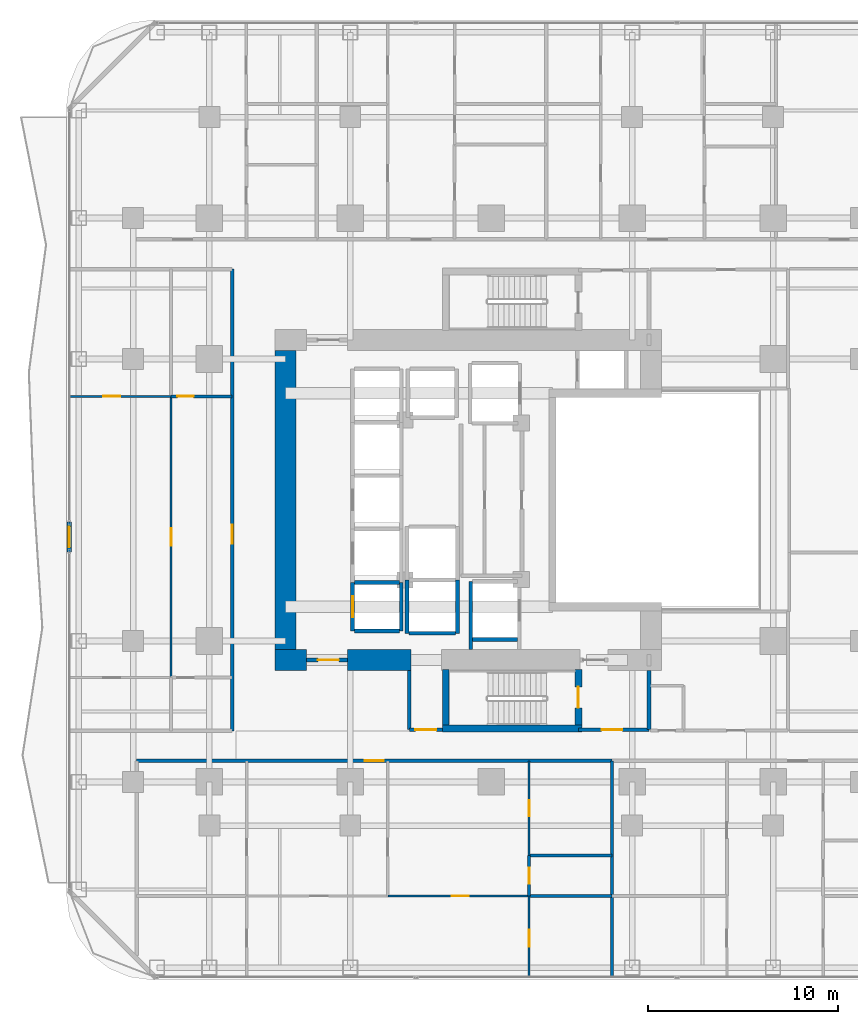
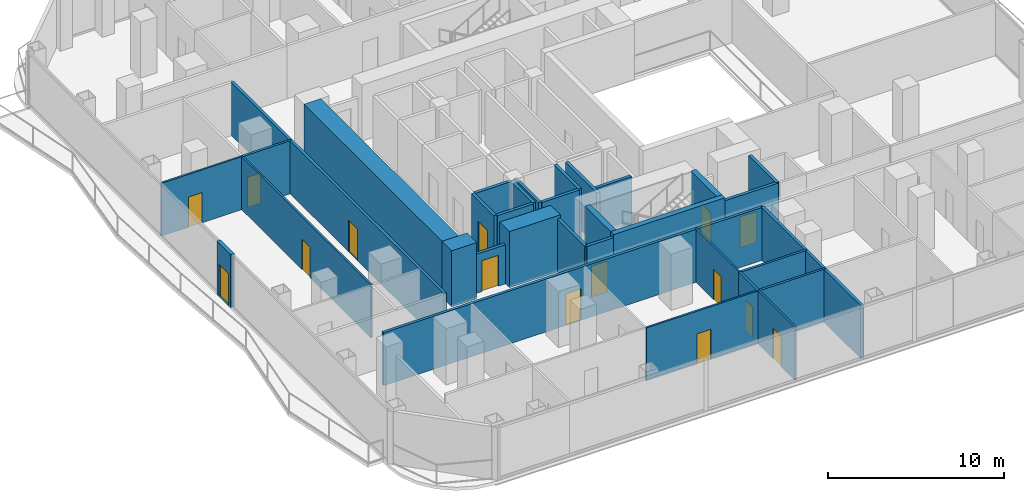
# One storey, part 20 of 27: 33 walls, 15 doors, 15 openings.
"""IFC4 building model written with IfcOpenShell, lengths in metres."""

from ifc_helpers import new_model, si_unit, direction, frame, frame_2d, origin, place, context, subcontext, project, spatial, rectangle, extrude, material, layer, layer_set, type_object, element, fill, save


model = new_model("IFC4")

# Units and contexts
model_context = context("Model", 3, precision=1e-05, world=origin(), true_north=direction((0.0, 1.0)))
body_context = subcontext(model_context, "Body", "Model", "MODEL_VIEW")
ifc_project = project(units=[si_unit("LENGTHUNIT", "METRE"), si_unit("AREAUNIT", "SQUARE_METRE"), si_unit("VOLUMEUNIT", "CUBIC_METRE"), si_unit("PLANEANGLEUNIT", "RADIAN"), si_unit("MASSUNIT", "GRAM", prefix="KILO")], contexts=[model_context])

# Site, building, storey
site_placement = place(None, origin())
site = spatial("IfcSite", under=ifc_project, at=site_placement, CompositionType="ELEMENT")
building_placement = place(site_placement, origin())
building = spatial("IfcBuilding", under=site, at=building_placement, Name="Khorvyn Point Tower", CompositionType="ELEMENT")
storey_placement = place(building_placement, frame((0.0, 0.0, 42.300048828125)))
storey = spatial("IfcBuildingStorey", under=building, at=storey_placement, Name="L11", CompositionType="ELEMENT", Elevation=42.300048828125)

# Wall, opening, door
ifc_material_1 = material(Name="Double acoustic gypsum on twin steel stud", Category="steel")
ifc_layer_1 = layer(ifc_material_1, 0.179931640625)
ifc_layer_set_1 = layer_set([ifc_layer_1], Name="Acoustic Double-Stud Apartment Demising Wall 180")
wall_type_1 = type_object("IfcWallType", Name="Acoustic Double-Stud Apartment Demising Wall 180", PredefinedType="PARTITIONING", material=ifc_layer_set_1)
wall_1_placement = place(storey_placement, frame((-18.6201171875, -13.699951171875, 0.0), z_axis=(0.0, 0.0, 1.0), x_axis=(1.0, 0.0, 0.0)))
wall_1 = element("IfcWall", 1, at=wall_1_placement, inside=storey, type_object=wall_type_1, Name="Wall", PredefinedType="PARTITIONING", context=body_context, shape_type="SweptSolid", body=[
    extrude(rectangle(XDim=24.963134765625, YDim=0.179931640625, at=frame_2d((12.4814453125, 0.0))), origin(), (0.0, 0.0, 1.0), 3.679931640625),
])
opening_1_placement = place(wall_1_placement, frame((11.9814453125, 0.0, 0.0)))
opening_1 = element("IfcOpeningElement", 2, at=opening_1_placement, cuts=wall_1, Name="Opening ID-AP60", PredefinedType="OPENING", context=body_context, shape_type="SweptSolid", body=[
    extrude(rectangle(XDim=1.0, YDim=2.199951171875, at=frame_2d((0.5, 1.10009765625))), frame((0.0, 0.099853515625, 0.0), z_axis=(0.0, -1.0, 0.0), x_axis=(1.0, 0.0, 0.0)), (0.0, 0.0, 1.0), 0.199951171875),
])
ifc_material_2 = material(Name="Engineered hardwood fire-rated leaf", Category="wood")
door_type_1 = type_object("IfcDoorType", Name="Acoustic Solid-Core Timber Apartment Entrance Door 1000x2200", OperationType="NOTDEFINED", PredefinedType="DOOR", material=ifc_material_2)
door_1_placement = place(opening_1_placement, origin())
door_1 = element("IfcDoor", 3, at=door_1_placement, inside=storey, type_object=door_type_1, Name="Door", OperationType="SINGLE_SWING_LEFT", OverallHeight=2.199951171875, OverallWidth=1.0, PredefinedType="DOOR", context=body_context, shape_type="SweptSolid", body=[
    extrude(rectangle(XDim=1.0, YDim=2.199951171875, at=frame_2d((0.5, 1.10009765625))), frame((0.0, 0.02490234375, 0.0), z_axis=(0.0, -1.0, 0.0), x_axis=(1.0, 0.0, 0.0)), (0.0, 0.0, 1.0), 0.050048828125),
])
fill(opening_1, door_1)

wall_2_placement = place(storey_placement, frame((-13.60009765625, -12.1201171875, 0.0), z_axis=(0.0, 0.0, 1.0), x_axis=(0.0, 1.0, 0.0)))
wall_2 = element("IfcWall", 4, at=wall_2_placement, inside=storey, type_object=wall_type_1, Name="Wall", PredefinedType="PARTITIONING", context=body_context, shape_type="SweptSolid", body=[
    extrude(rectangle(XDim=24.240234375, YDim=0.179931640625, at=frame_2d((12.1201171875, 0.0))), origin(), (0.0, 0.0, 1.0), 3.679931640625),
])
opening_2_placement = place(wall_2_placement, frame((9.829345703125, 0.0, 0.0)))
opening_2 = element("IfcOpeningElement", 5, at=opening_2_placement, cuts=wall_2, Name="Opening ID-AP60", PredefinedType="OPENING", context=body_context, shape_type="SweptSolid", body=[
    extrude(rectangle(XDim=1.0, YDim=2.199951171875, at=frame_2d((0.5, 1.10009765625))), frame((0.0, 0.099853515625, 0.0), z_axis=(0.0, -1.0, 0.0), x_axis=(1.0, 0.0, 0.0)), (0.0, 0.0, 1.0), 0.199951171875),
])
door_2_placement = place(opening_2_placement, origin())
door_2 = element("IfcDoor", 6, at=door_2_placement, inside=storey, type_object=door_type_1, Name="Door", OperationType="SINGLE_SWING_RIGHT", OverallHeight=2.199951171875, OverallWidth=1.0, PredefinedType="DOOR", context=body_context, shape_type="SweptSolid", body=[
    extrude(rectangle(XDim=1.0, YDim=2.199951171875, at=frame_2d((0.5, 1.10009765625))), frame((0.0, 0.02490234375, 0.0), z_axis=(0.0, -1.0, 0.0), x_axis=(1.0, 0.0, 0.0)), (0.0, 0.0, 1.0), 0.050048828125),
])
fill(opening_2, door_2)

# Wall
wall_3_placement = place(storey_placement, frame((6.343017578125, -25.030029296875, 0.0), z_axis=(0.0, 0.0, 1.0), x_axis=(0.0, 1.0, 0.0)))
element("IfcWall", 7, at=wall_3_placement, inside=storey, type_object=wall_type_1, Name="Wall", PredefinedType="PARTITIONING", context=body_context, shape_type="SweptSolid", body=[
    extrude(rectangle(XDim=11.330078125, YDim=0.179931640625, at=frame_2d((5.6650390625, 0.0))), origin(), (0.0, 0.0, 1.0), 3.679931640625),
])

# Wall, opening, door
ifc_material_3 = material(Name="Pale anodised aluminium rainscreen on steel stud", Category="steel")
ifc_layer_2 = layer(ifc_material_3, 0.239990234375)
ifc_layer_set_2 = layer_set([ifc_layer_2], Name="Anodised Aluminium Insulated Corner Spandrel Wall 240")
wall_type_2 = type_object("IfcWallType", Name="Anodised Aluminium Insulated Corner Spandrel Wall 240", PredefinedType="SOLIDWALL", material=ifc_layer_set_2)
wall_4_placement = place(storey_placement, frame((-22.14990234375, -2.73193359375, 0.0), z_axis=(0.0, 0.0, 1.0), x_axis=(0.0, 1.0, 0.0)))
wall_4 = element("IfcWall", 8, at=wall_4_placement, inside=storey, type_object=wall_type_2, Name="L11 West Outdoor Threshold Wall", PredefinedType="SOLIDWALL", context=body_context, shape_type="SweptSolid", body=[
    extrude(rectangle(XDim=1.579833984375, YDim=0.239990234375, at=frame_2d((0.7900390625, 0.0))), origin(), (0.0, 0.0, 1.0), 3.679931640625),
])
opening_3_placement = place(wall_4_placement, frame((0.239990234375, 0.0, 0.0)))
opening_3 = element("IfcOpeningElement", 9, at=opening_3_placement, cuts=wall_4, Name="Opening BD-1122", PredefinedType="OPENING", context=body_context, shape_type="SweptSolid", body=[
    extrude(rectangle(XDim=1.10009765625, YDim=2.199951171875, at=frame_2d((0.550048828125, 1.10009765625))), frame((0.0, 0.1298828125, 0.0), z_axis=(0.0, -1.0, 0.0), x_axis=(1.0, 0.0, 0.0)), (0.0, 0.0, 1.0), 0.260009765625),
])
ifc_material_4 = material(Name="Anodised aluminium 6063-T6 and laminated Low-E glass", Category="aluminium")
door_type_2 = type_object("IfcDoorType", Name="Glazed Balcony and Terrace Threshold Door 1100x2200", OperationType="NOTDEFINED", PredefinedType="DOOR", material=ifc_material_4)
door_3_placement = place(opening_3_placement, origin())
door_3 = element("IfcDoor", 10, at=door_3_placement, inside=storey, type_object=door_type_2, Name="L11 West Glazed Balcony Outdoor Door", OperationType="SINGLE_SWING_RIGHT", OverallHeight=2.199951171875, OverallWidth=1.10009765625, PredefinedType="DOOR", context=body_context, shape_type="SweptSolid", body=[
    extrude(rectangle(XDim=1.10009765625, YDim=2.199951171875, at=frame_2d((0.550048828125, 1.10009765625))), frame((0.0, 0.02490234375, 0.0), z_axis=(0.0, -1.0, 0.0), x_axis=(1.0, 0.0, 0.0)), (0.0, 0.0, 1.0), 0.050048828125),
])
fill(opening_3, door_3)

ifc_material_5 = material(Name="Concrete C40/50", Category="concrete")
ifc_layer_3 = layer(ifc_material_5, 0.199951171875)
ifc_layer_set_3 = layer_set([ifc_layer_3], Name="Concrete C40/50 Fire-Lobby Compartment Wall 200")
wall_type_3 = type_object("IfcWallType", Name="Concrete C40/50 Fire-Lobby Compartment Wall 200", PredefinedType="SOLIDWALL", material=ifc_layer_set_3)
wall_5_placement = place(storey_placement, frame((4.580078125, -12.06005859375, 0.0), z_axis=(0.0, 0.0, 1.0), x_axis=(1.0, 0.0, 0.0)))
wall_5 = element("IfcWall", 11, at=wall_5_placement, inside=storey, type_object=wall_type_3, Name="Wall", PredefinedType="SOLIDWALL", context=body_context, shape_type="SweptSolid", body=[
    extrude(rectangle(XDim=3.699951171875, YDim=0.199951171875, at=frame_2d((1.85009765625, 0.0))), origin(), (0.0, 0.0, 1.0), 3.679931640625),
])
opening_4_placement = place(wall_5_placement, frame((1.21240234375, 0.0, 0.0)))
opening_4 = element("IfcOpeningElement", 12, at=opening_4_placement, cuts=wall_5, Name="Opening ID-FL90", PredefinedType="OPENING", context=body_context, shape_type="SweptSolid", body=[
    extrude(rectangle(XDim=1.10009765625, YDim=2.14990234375, at=frame_2d((0.550048828125, 1.074951171875))), frame((0.0, 0.10986328125, 0.0), z_axis=(0.0, -1.0, 0.0), x_axis=(1.0, 0.0, 0.0)), (0.0, 0.0, 1.0), 0.219970703125),
])
ifc_material_6 = material(Name="Galvanised powder-coated steel", Category="steel")
door_type_3 = type_object("IfcDoorType", Name="Fire-Rated Steel Lobby and Stair Door 1100x2150", OperationType="NOTDEFINED", PredefinedType="DOOR", material=ifc_material_6)
door_4_placement = place(opening_4_placement, origin())
door_4 = element("IfcDoor", 13, at=door_4_placement, inside=storey, type_object=door_type_3, Name="Door", OperationType="SINGLE_SWING_RIGHT", OverallHeight=2.14990234375, OverallWidth=1.10009765625, PredefinedType="DOOR", context=body_context, shape_type="SweptSolid", body=[
    extrude(rectangle(XDim=1.10009765625, YDim=2.14990234375, at=frame_2d((0.550048828125, 1.074951171875))), frame((0.0, 0.02490234375, 0.0), z_axis=(0.0, -1.0, 0.0), x_axis=(1.0, 0.0, 0.0)), (0.0, 0.0, 1.0), 0.050048828125),
])
fill(opening_4, door_4)

wall_6_placement = place(storey_placement, frame((-9.699951171875, -8.39990234375, 0.0), z_axis=(0.0, 0.0, 1.0), x_axis=(1.0, 0.0, 0.0)))
wall_6 = element("IfcWall", 14, at=wall_6_placement, inside=storey, type_object=wall_type_3, Name="Wall", PredefinedType="SOLIDWALL", context=body_context, shape_type="SweptSolid", body=[
    extrude(rectangle(XDim=2.14990234375, YDim=0.199951171875, at=frame_2d((1.074951171875, 0.0))), origin(), (0.0, 0.0, 1.0), 2.719970703125),
])
opening_5_placement = place(wall_6_placement, frame((0.597900390625, 0.0, 0.0)))
opening_5 = element("IfcOpeningElement", 15, at=opening_5_placement, cuts=wall_6, Name="Opening ID-FL90", PredefinedType="OPENING", context=body_context, shape_type="SweptSolid", body=[
    extrude(rectangle(XDim=1.10009765625, YDim=2.14990234375, at=frame_2d((0.550048828125, 1.074951171875))), frame((0.0, 0.10986328125, 0.0), z_axis=(0.0, -1.0, 0.0), x_axis=(1.0, 0.0, 0.0)), (0.0, 0.0, 1.0), 0.219970703125),
])
door_5_placement = place(opening_5_placement, origin())
door_5 = element("IfcDoor", 16, at=door_5_placement, inside=storey, type_object=door_type_3, Name="Door", OperationType="SINGLE_SWING_LEFT", OverallHeight=2.14990234375, OverallWidth=1.10009765625, PredefinedType="DOOR", context=body_context, shape_type="SweptSolid", body=[
    extrude(rectangle(XDim=1.10009765625, YDim=2.14990234375, at=frame_2d((0.550048828125, 1.074951171875))), frame((0.0, 0.02490234375, 0.0), z_axis=(0.0, -1.0, 0.0), x_axis=(1.0, 0.0, 0.0)), (0.0, 0.0, 1.0), 0.050048828125),
])
fill(opening_5, door_5)

wall_7_placement = place(storey_placement, frame((-4.300048828125, -12.06005859375, 0.0), z_axis=(0.0, 0.0, 1.0), x_axis=(1.0, 0.0, 0.0)))
wall_7 = element("IfcWall", 17, at=wall_7_placement, inside=storey, type_object=wall_type_3, Name="Wall", PredefinedType="SOLIDWALL", context=body_context, shape_type="SweptSolid", body=[
    extrude(rectangle(XDim=1.75, YDim=0.199951171875, at=frame_2d((0.875, 0.0))), origin(), (0.0, 0.0, 1.0), 3.679931640625),
])
opening_6_placement = place(wall_7_placement, frame((0.324951171875, 0.0, 0.0)))
opening_6 = element("IfcOpeningElement", 18, at=opening_6_placement, cuts=wall_7, Name="Opening ID-FL90", PredefinedType="OPENING", context=body_context, shape_type="SweptSolid", body=[
    extrude(rectangle(XDim=1.10009765625, YDim=2.14990234375, at=frame_2d((0.550048828125, 1.074951171875))), frame((0.0, 0.10986328125, 0.0), z_axis=(0.0, -1.0, 0.0), x_axis=(1.0, 0.0, 0.0)), (0.0, 0.0, 1.0), 0.219970703125),
])
door_6_placement = place(opening_6_placement, origin())
door_6 = element("IfcDoor", 19, at=door_6_placement, inside=storey, type_object=door_type_3, Name="Door", OperationType="SINGLE_SWING_LEFT", OverallHeight=2.14990234375, OverallWidth=1.10009765625, PredefinedType="DOOR", context=body_context, shape_type="SweptSolid", body=[
    extrude(rectangle(XDim=1.10009765625, YDim=2.14990234375, at=frame_2d((0.550048828125, 1.074951171875))), frame((0.0, 0.02490234375, 0.0), z_axis=(0.0, -1.0, 0.0), x_axis=(1.0, 0.0, 0.0)), (0.0, 0.0, 1.0), 0.050048828125),
])
fill(opening_6, door_6)

# Walls
for number, where, z_axis, x_axis, name in (
    (20, (8.280029296875, -12.06005859375, 0.0), (0.0, 0.0, 1.0), (0.0, 1.0, 0.0), "Wall"),
    (21, (-4.300048828125, -12.06005859375, 0.0), (0.0, 0.0, 1.0), (0.0, 1.0, 0.0), "Wall"),
):
    element("IfcWall", number, at=place(storey_placement, frame(where, z_axis=z_axis, x_axis=x_axis)), inside=storey, type_object=wall_type_3, Name=name, PredefinedType="SOLIDWALL", context=body_context, shape_type="SweptSolid", body=[
        extrude(rectangle(XDim=3.110107421875, YDim=0.199951171875, at=frame_2d((1.55517578125, 0.0))), origin(), (0.0, 0.0, 1.0), 3.679931640625),
    ])
ifc_layer_4 = layer(ifc_material_5, 0.35009765625)
ifc_layer_set_4 = layer_set([ifc_layer_4], Name="Concrete C40/50 Stair Shaft Structural Wall 350")
wall_type_4 = type_object("IfcWallType", Name="Concrete C40/50 Stair Shaft Structural Wall 350", PredefinedType="SHEAR", material=ifc_layer_set_4)
wall_8_placement = place(storey_placement, frame((-2.554931640625, -12.0, 0.0), z_axis=(0.0, 0.0, 1.0), x_axis=(1.0, 0.0, 0.0)))
element("IfcWall", 22, at=wall_8_placement, inside=storey, type_object=wall_type_4, Name="L11 ST-01 South Shaft Wall", PredefinedType="SHEAR", context=body_context, shape_type="SweptSolid", body=[
    extrude(rectangle(XDim=7.309814453125, YDim=0.35009765625, at=frame_2d((3.65478515625, 0.0))), origin(), (0.0, 0.0, 1.0), 3.89990234375),
])
wall_9_placement = place(storey_placement, frame((-2.3798828125, -11.824951171875, 0.0), z_axis=(0.0, 0.0, 1.0), x_axis=(0.0, 1.0, 0.0)))
element("IfcWall", 23, at=wall_9_placement, inside=storey, type_object=wall_type_4, Name="L11 ST-01 West Shaft Wall", PredefinedType="SHEAR", context=body_context, shape_type="SweptSolid", body=[
    extrude(rectangle(XDim=2.925048828125, YDim=0.35009765625, at=frame_2d((1.46240234375, 0.0))), origin(), (0.0, 0.0, 1.0), 3.89990234375),
])

# Wall, opening, door
wall_10_placement = place(storey_placement, frame((4.580078125, -8.89990234375, 0.0), z_axis=(0.0, 0.0, 1.0), x_axis=(0.0, -1.0, 0.0)))
wall_10 = element("IfcWall", 24, at=wall_10_placement, inside=storey, type_object=wall_type_4, Name="L11 ST-01 East Landing Door Wall", PredefinedType="SHEAR", context=body_context, shape_type="SweptSolid", body=[
    extrude(rectangle(XDim=2.925048828125, YDim=0.35009765625, at=frame_2d((1.46240234375, 0.0))), origin(), (0.0, 0.0, 1.0), 3.89990234375),
])
opening_7_placement = place(wall_10_placement, frame((0.91259765625, 0.0, 0.0)))
opening_7 = element("IfcOpeningElement", 25, at=opening_7_placement, cuts=wall_10, Name="Opening ID-FL90", PredefinedType="OPENING", context=body_context, shape_type="SweptSolid", body=[
    extrude(rectangle(XDim=1.10009765625, YDim=2.14990234375, at=frame_2d((0.550048828125, 1.074951171875))), frame((0.0, 0.18505859375, 0.0), z_axis=(0.0, -1.0, 0.0), x_axis=(1.0, 0.0, 0.0)), (0.0, 0.0, 1.0), 0.3701171875),
])
door_7_placement = place(opening_7_placement, origin())
door_7 = element("IfcDoor", 26, at=door_7_placement, inside=storey, type_object=door_type_3, Name="L11 ST-01 Smokeproof Landing Door", OperationType="SINGLE_SWING_LEFT", OverallHeight=2.14990234375, OverallWidth=1.10009765625, PredefinedType="DOOR", context=body_context, shape_type="SweptSolid", body=[
    extrude(rectangle(XDim=1.10009765625, YDim=2.14990234375, at=frame_2d((0.550048828125, 1.074951171875))), frame((0.0, 0.02490234375, 0.0), z_axis=(0.0, -1.0, 0.0), x_axis=(1.0, 0.0, 0.0)), (0.0, 0.0, 1.0), 0.050048828125),
])
fill(opening_7, door_7)

ifc_layer_5 = layer(ifc_material_5, 0.199951171875)
ifc_layer_set_5 = layer_set([ifc_layer_5], Name="Concrete C40/50 Structural Hoistway and Stair Shaft Wall 200")
wall_type_5 = type_object("IfcWallType", Name="Concrete C40/50 Structural Hoistway and Stair Shaft Wall 200", PredefinedType="SHEAR", material=ifc_layer_set_5)
wall_11_placement = place(storey_placement, frame((-7.27490234375, -6.875, 0.0), z_axis=(0.0, 0.0, 1.0), x_axis=(0.0, 1.0, 0.0)))
wall_11 = element("IfcWall", 27, at=wall_11_placement, inside=storey, type_object=wall_type_5, Name="Wall", PredefinedType="SHEAR", context=body_context, shape_type="SweptSolid", body=[
    extrude(rectangle(XDim=2.550048828125, YDim=0.199951171875, at=frame_2d((1.27490234375, 0.0))), origin(), (0.0, 0.0, 1.0), 3.679931640625),
])
opening_8_placement = place(wall_11_placement, frame((0.72509765625, 0.0, 0.0)))
opening_8 = element("IfcOpeningElement", 28, at=opening_8_placement, cuts=wall_11, Name="Opening LD-1122", PredefinedType="OPENING", context=body_context, shape_type="SweptSolid", body=[
    extrude(rectangle(XDim=1.10009765625, YDim=2.199951171875, at=frame_2d((0.550048828125, 1.10009765625))), frame((0.0, 0.10986328125, 0.0), z_axis=(0.0, -1.0, 0.0), x_axis=(1.0, 0.0, 0.0)), (0.0, 0.0, 1.0), 0.219970703125),
])
ifc_material_7 = material(Name="Stainless steel 1.4301", Category="steel")
door_type_4 = type_object("IfcDoorType", Name="Stainless Steel Automatic Sliding Lift Landing Door 1100x2200", OperationType="SLIDING_TO_LEFT", PredefinedType="DOOR", material=ifc_material_7)
door_8_placement = place(opening_8_placement, origin())
door_8 = element("IfcDoor", 29, at=door_8_placement, inside=storey, type_object=door_type_4, Name="L11 RL-01 Sliding Lift Landing Door", OperationType="SLIDING_TO_LEFT", OverallHeight=2.199951171875, OverallWidth=1.10009765625, PredefinedType="DOOR", context=body_context, shape_type="SweptSolid", body=[
    extrude(rectangle(XDim=1.10009765625, YDim=2.199951171875, at=frame_2d((0.550048828125, 1.10009765625))), frame((0.0, 0.02490234375, 0.0), z_axis=(0.0, -1.0, 0.0), x_axis=(1.0, 0.0, 0.0)), (0.0, 0.0, 1.0), 0.050048828125),
])
fill(opening_8, door_8)

# Walls
wall_12_placement = place(storey_placement, frame((-4.72509765625, -6.875, 0.0), z_axis=(0.0, 0.0, 1.0), x_axis=(0.0, 1.0, 0.0)))
element("IfcWall", 30, at=wall_12_placement, inside=storey, type_object=wall_type_5, Name="Wall", PredefinedType="SHEAR", context=body_context, shape_type="SweptSolid", body=[
    extrude(rectangle(XDim=2.550048828125, YDim=0.199951171875, at=frame_2d((1.27490234375, 0.0))), origin(), (0.0, 0.0, 1.0), 3.679931640625),
])
for number, where, z_axis, x_axis, name in (
    (31, (-7.175048828125, -6.875, 0.0), (0.0, 0.0, 1.0), (1.0, 0.0, 0.0), "Wall"),
    (32, (-7.175048828125, -4.324951171875, 0.0), (0.0, 0.0, 1.0), (1.0, 0.0, 0.0), "Wall"),
):
    element("IfcWall", number, at=place(storey_placement, frame(where, z_axis=z_axis, x_axis=x_axis)), inside=storey, type_object=wall_type_5, Name=name, PredefinedType="SHEAR", context=body_context, shape_type="SweptSolid", body=[
        extrude(rectangle(XDim=2.35009765625, YDim=0.199951171875, at=frame_2d((1.175048828125, 0.0))), origin(), (0.0, 0.0, 1.0), 3.679931640625),
    ])
for number, where, z_axis, x_axis, name in (
    (33, (-4.425048828125, -7.0, 0.0), (0.0, 0.0, 1.0), (0.0, 1.0, 0.0), "Wall"),
    (34, (-1.77490234375, -7.0, 0.0), (0.0, 0.0, 1.0), (0.0, 1.0, 0.0), "Wall"),
):
    element("IfcWall", number, at=place(storey_placement, frame(where, z_axis=z_axis, x_axis=x_axis)), inside=storey, type_object=wall_type_5, Name=name, PredefinedType="SHEAR", context=body_context, shape_type="SweptSolid", body=[
        extrude(rectangle(XDim=2.800048828125, YDim=0.199951171875, at=frame_2d((1.39990234375, 0.0))), origin(), (0.0, 0.0, 1.0), 3.679931640625),
    ])
wall_13_placement = place(storey_placement, frame((-4.324951171875, -7.0, 0.0), z_axis=(0.0, 0.0, 1.0), x_axis=(1.0, 0.0, 0.0)))
element("IfcWall", 35, at=wall_13_placement, inside=storey, type_object=wall_type_5, Name="Wall", PredefinedType="SHEAR", context=body_context, shape_type="SweptSolid", body=[
    extrude(rectangle(XDim=2.449951171875, YDim=0.199951171875, at=frame_2d((1.22509765625, 0.0))), origin(), (0.0, 0.0, 1.0), 3.679931640625),
])
wall_14_placement = place(storey_placement, frame((-1.074951171875, -7.85009765625, 0.0), z_axis=(0.0, 0.0, 1.0), x_axis=(0.0, 1.0, 0.0)))
element("IfcWall", 36, at=wall_14_placement, inside=storey, type_object=wall_type_5, Name="Wall", PredefinedType="SHEAR", context=body_context, shape_type="SweptSolid", body=[
    extrude(rectangle(XDim=3.5751953125, YDim=0.199951171875, at=frame_2d((1.78759765625, 0.0))), origin(), (0.0, 0.0, 1.0), 3.679931640625),
])
wall_15_placement = place(storey_placement, frame((-0.97509765625, -7.324951171875, 0.0), z_axis=(0.0, 0.0, 1.0), x_axis=(1.0, 0.0, 0.0)))
element("IfcWall", 37, at=wall_15_placement, inside=storey, type_object=wall_type_5, Name="Wall", PredefinedType="SHEAR", context=body_context, shape_type="SweptSolid", body=[
    extrude(rectangle(XDim=2.35009765625, YDim=0.199951171875, at=frame_2d((1.175048828125, 0.0))), origin(), (0.0, 0.0, 1.0), 3.679931640625),
])
ifc_material_8 = material(Name="Concrete C50/60", Category="concrete")
ifc_layer_6 = layer(ifc_material_8, 1.10009765625)
ifc_layer_set_6 = layer_set([ifc_layer_6], Name="Concrete C50/60 Core Shear Wall 1100")
wall_type_6 = type_object("IfcWallType", Name="Concrete C50/60 Core Shear Wall 1100", PredefinedType="SHEAR", material=ifc_layer_set_6)
wall_16_placement = place(storey_placement, frame((-11.35009765625, -8.39990234375, 0.0), z_axis=(0.0, 0.0, 1.0), x_axis=(1.0, 0.0, 0.0)))
element("IfcWall", 38, at=wall_16_placement, inside=storey, type_object=wall_type_6, Name="Wall", PredefinedType="SHEAR", context=body_context, shape_type="SweptSolid", body=[
    extrude(rectangle(XDim=1.650146484375, YDim=1.10009765625, at=frame_2d((0.8251953125, 0.0))), origin(), (0.0, 0.0, 1.0), 3.89990234375),
])
wall_17_placement = place(storey_placement, frame((-7.550048828125, -8.39990234375, 0.0), z_axis=(0.0, 0.0, 1.0), x_axis=(1.0, 0.0, 0.0)))
element("IfcWall", 39, at=wall_17_placement, inside=storey, type_object=wall_type_6, Name="Wall", PredefinedType="SHEAR", context=body_context, shape_type="SweptSolid", body=[
    extrude(rectangle(XDim=3.35009765625, YDim=1.10009765625, at=frame_2d((1.675048828125, 0.0))), origin(), (0.0, 0.0, 1.0), 3.89990234375),
])
wall_18_placement = place(storey_placement, frame((-10.800048828125, -7.85009765625, 0.0), z_axis=(0.0, 0.0, 1.0), x_axis=(0.0, 1.0, 0.0)))
element("IfcWall", 40, at=wall_18_placement, inside=storey, type_object=wall_type_6, Name="Wall", PredefinedType="SHEAR", context=body_context, shape_type="SweptSolid", body=[
    extrude(rectangle(XDim=15.7001953125, YDim=1.10009765625, at=frame_2d((7.85009765625, 0.0))), origin(), (0.0, 0.0, 1.0), 3.89990234375),
])

# Wall, opening, door
ifc_material_9 = material(Name="Gypsum plasterboard on steel stud", Category="steel")
ifc_layer_7 = layer(ifc_material_9, 0.1201171875)
ifc_layer_set_7 = layer_set([ifc_layer_7], Name="Gypsum Acoustic Stud Room Partition Wall 120")
wall_type_7 = type_object("IfcWallType", Name="Gypsum Acoustic Stud Room Partition Wall 120", PredefinedType="PARTITIONING", material=ifc_layer_set_7)
wall_19_placement = place(storey_placement, frame((-5.425048828125, -20.7900390625, 0.0), z_axis=(0.0, 0.0, 1.0), x_axis=(1.0, 0.0, 0.0)))
wall_19 = element("IfcWall", 41, at=wall_19_placement, inside=storey, type_object=wall_type_7, Name="Wall", PredefinedType="PARTITIONING", context=body_context, shape_type="SweptSolid", body=[
    extrude(rectangle(XDim=7.412109375, YDim=0.1201171875, at=frame_2d((3.7060546875, 0.0))), origin(), (0.0, 0.0, 1.0), 3.679931640625),
])
opening_9_placement = place(wall_19_placement, frame((3.344482421875, 0.0, 0.0)))
opening_9 = element("IfcOpeningElement", 42, at=opening_9_placement, cuts=wall_19, Name="Opening ID-RM90", PredefinedType="OPENING", context=body_context, shape_type="SweptSolid", body=[
    extrude(rectangle(XDim=0.89990234375, YDim=2.10009765625, at=frame_2d((0.449951171875, 1.050048828125))), frame((0.0, 0.070068359375, 0.0), z_axis=(0.0, -1.0, 0.0), x_axis=(1.0, 0.0, 0.0)), (0.0, 0.0, 1.0), 0.14013671875),
])
ifc_material_10 = material(Name="Engineered oak veneer timber", Category="wood")
door_type_5 = type_object("IfcDoorType", Name="Flush Engineered Timber Room Door 900x2100", OperationType="NOTDEFINED", PredefinedType="DOOR", material=ifc_material_10)
door_9_placement = place(opening_9_placement, origin())
door_9 = element("IfcDoor", 43, at=door_9_placement, inside=storey, type_object=door_type_5, Name="Door", OperationType="SINGLE_SWING_LEFT", OverallHeight=2.10009765625, OverallWidth=0.89990234375, PredefinedType="DOOR", context=body_context, shape_type="SweptSolid", body=[
    extrude(rectangle(XDim=0.89990234375, YDim=2.10009765625, at=frame_2d((0.449951171875, 1.050048828125))), frame((0.0, 0.02490234375, 0.0), z_axis=(0.0, -1.0, 0.0), x_axis=(1.0, 0.0, 0.0)), (0.0, 0.0, 1.0), 0.050048828125),
])
fill(opening_9, door_9)

wall_20_placement = place(storey_placement, frame((1.987060546875, -18.6630859375, 0.0), z_axis=(0.0, 0.0, 1.0), x_axis=(0.0, 1.0, 0.0)))
wall_20 = element("IfcWall", 44, at=wall_20_placement, inside=storey, type_object=wall_type_7, Name="Wall", PredefinedType="PARTITIONING", context=body_context, shape_type="SweptSolid", body=[
    extrude(rectangle(XDim=4.963134765625, YDim=0.1201171875, at=frame_2d((2.4814453125, 0.0))), origin(), (0.0, 0.0, 1.0), 3.679931640625),
])
opening_10_placement = place(wall_20_placement, frame((2.056396484375, 0.0, 0.0)))
opening_10 = element("IfcOpeningElement", 45, at=opening_10_placement, cuts=wall_20, Name="Opening ID-WC85", PredefinedType="OPENING", context=body_context, shape_type="SweptSolid", body=[
    extrude(rectangle(XDim=0.85009765625, YDim=2.10009765625, at=frame_2d((0.425048828125, 1.050048828125))), frame((0.0, 0.070068359375, 0.0), z_axis=(0.0, -1.0, 0.0), x_axis=(1.0, 0.0, 0.0)), (0.0, 0.0, 1.0), 0.14013671875),
])
ifc_material_11 = material(Name="High-pressure laminate on moisture-resistant core", Category="wood")
door_type_6 = type_object("IfcDoorType", Name="Moisture-Resistant Accessible Washroom Door 850x2100", OperationType="NOTDEFINED", PredefinedType="DOOR", material=ifc_material_11)
door_10_placement = place(opening_10_placement, origin())
door_10 = element("IfcDoor", 46, at=door_10_placement, inside=storey, type_object=door_type_6, Name="Door", OperationType="SINGLE_SWING_RIGHT", OverallHeight=2.10009765625, OverallWidth=0.85009765625, PredefinedType="DOOR", context=body_context, shape_type="SweptSolid", body=[
    extrude(rectangle(XDim=0.85009765625, YDim=2.10009765625, at=frame_2d((0.425048828125, 1.050048828125))), frame((0.0, 0.02490234375, 0.0), z_axis=(0.0, -1.0, 0.0), x_axis=(1.0, 0.0, 0.0)), (0.0, 0.0, 1.0), 0.050048828125),
])
fill(opening_10, door_10)

wall_21_placement = place(storey_placement, frame((1.987060546875, -25.030029296875, 0.0), z_axis=(0.0, 0.0, 1.0), x_axis=(0.0, 1.0, 0.0)))
wall_21 = element("IfcWall", 47, at=wall_21_placement, inside=storey, type_object=wall_type_7, Name="Wall", PredefinedType="PARTITIONING", context=body_context, shape_type="SweptSolid", body=[
    extrude(rectangle(XDim=4.239990234375, YDim=0.1201171875, at=frame_2d((2.1201171875, 0.0))), origin(), (0.0, 0.0, 1.0), 3.679931640625),
])
opening_11_placement = place(wall_21_placement, frame((1.581298828125, 0.0, 0.0)))
opening_11 = element("IfcOpeningElement", 48, at=opening_11_placement, cuts=wall_21, Name="Opening ID-RM90", PredefinedType="OPENING", context=body_context, shape_type="SweptSolid", body=[
    extrude(rectangle(XDim=0.89990234375, YDim=2.10009765625, at=frame_2d((0.449951171875, 1.050048828125))), frame((0.0, 0.070068359375, 0.0), z_axis=(0.0, -1.0, 0.0), x_axis=(1.0, 0.0, 0.0)), (0.0, 0.0, 1.0), 0.14013671875),
])
door_11_placement = place(opening_11_placement, origin())
door_11 = element("IfcDoor", 49, at=door_11_placement, inside=storey, type_object=door_type_5, Name="Door", OperationType="SINGLE_SWING_LEFT", OverallHeight=2.10009765625, OverallWidth=0.89990234375, PredefinedType="DOOR", context=body_context, shape_type="SweptSolid", body=[
    extrude(rectangle(XDim=0.89990234375, YDim=2.10009765625, at=frame_2d((0.449951171875, 1.050048828125))), frame((0.0, 0.02490234375, 0.0), z_axis=(0.0, -1.0, 0.0), x_axis=(1.0, 0.0, 0.0)), (0.0, 0.0, 1.0), 0.050048828125),
])
fill(opening_11, door_11)

wall_22_placement = place(storey_placement, frame((-16.80810546875, -9.320068359375, 0.0), z_axis=(0.0, 0.0, 1.0), x_axis=(0.0, 1.0, 0.0)))
wall_22 = element("IfcWall", 50, at=wall_22_placement, inside=storey, type_object=wall_type_7, Name="Wall", PredefinedType="PARTITIONING", context=body_context, shape_type="SweptSolid", body=[
    extrude(rectangle(XDim=14.756103515625, YDim=0.1201171875, at=frame_2d((7.3779296875, 0.0))), origin(), (0.0, 0.0, 1.0), 3.679931640625),
])
opening_12_placement = place(wall_22_placement, frame((6.927978515625, 0.0, 0.0)))
opening_12 = element("IfcOpeningElement", 51, at=opening_12_placement, cuts=wall_22, Name="Opening ID-RM90", PredefinedType="OPENING", context=body_context, shape_type="SweptSolid", body=[
    extrude(rectangle(XDim=0.89990234375, YDim=2.10009765625, at=frame_2d((0.449951171875, 1.050048828125))), frame((0.0, 0.070068359375, 0.0), z_axis=(0.0, -1.0, 0.0), x_axis=(1.0, 0.0, 0.0)), (0.0, 0.0, 1.0), 0.14013671875),
])
door_12_placement = place(opening_12_placement, origin())
door_12 = element("IfcDoor", 52, at=door_12_placement, inside=storey, type_object=door_type_5, Name="Door", OperationType="SINGLE_SWING_LEFT", OverallHeight=2.10009765625, OverallWidth=0.89990234375, PredefinedType="DOOR", context=body_context, shape_type="SweptSolid", body=[
    extrude(rectangle(XDim=0.89990234375, YDim=2.10009765625, at=frame_2d((0.449951171875, 1.050048828125))), frame((0.0, 0.02490234375, 0.0), z_axis=(0.0, -1.0, 0.0), x_axis=(1.0, 0.0, 0.0)), (0.0, 0.0, 1.0), 0.050048828125),
])
fill(opening_12, door_12)

wall_23_placement = place(storey_placement, frame((-22.1298828125, 5.43603515625, 0.0), z_axis=(0.0, 0.0, 1.0), x_axis=(1.0, 0.0, 0.0)))
wall_23 = element("IfcWall", 53, at=wall_23_placement, inside=storey, type_object=wall_type_7, Name="Wall", PredefinedType="PARTITIONING", context=body_context, shape_type="SweptSolid", body=[
    extrude(rectangle(XDim=5.32177734375, YDim=0.1201171875, at=frame_2d((2.660888671875, 0.0))), origin(), (0.0, 0.0, 1.0), 3.679931640625),
])
opening_13_placement = place(wall_23_placement, frame((1.76513671875, 0.0, 0.0)))
opening_13 = element("IfcOpeningElement", 54, at=opening_13_placement, cuts=wall_23, Name="Opening ID-RM90", PredefinedType="OPENING", context=body_context, shape_type="SweptSolid", body=[
    extrude(rectangle(XDim=0.89990234375, YDim=2.10009765625, at=frame_2d((0.449951171875, 1.050048828125))), frame((0.0, 0.070068359375, 0.0), z_axis=(0.0, -1.0, 0.0), x_axis=(1.0, 0.0, 0.0)), (0.0, 0.0, 1.0), 0.14013671875),
])
door_13_placement = place(opening_13_placement, origin())
door_13 = element("IfcDoor", 55, at=door_13_placement, inside=storey, type_object=door_type_5, Name="Door", OperationType="SINGLE_SWING_LEFT", OverallHeight=2.10009765625, OverallWidth=0.89990234375, PredefinedType="DOOR", context=body_context, shape_type="SweptSolid", body=[
    extrude(rectangle(XDim=0.89990234375, YDim=2.10009765625, at=frame_2d((0.449951171875, 1.050048828125))), frame((0.0, 0.02490234375, 0.0), z_axis=(0.0, -1.0, 0.0), x_axis=(1.0, 0.0, 0.0)), (0.0, 0.0, 1.0), 0.050048828125),
])
fill(opening_13, door_13)

ifc_material_12 = material(Name="Moisture-resistant gypsum and cement board", Category="gypsum")
ifc_layer_8 = layer(ifc_material_12, 0.14990234375)
ifc_layer_set_8 = layer_set([ifc_layer_8], Name="Moisture-Resistant Wet-Room Partition Wall 150")
wall_type_8 = type_object("IfcWallType", Name="Moisture-Resistant Wet-Room Partition Wall 150", PredefinedType="PARTITIONING", material=ifc_layer_set_8)
wall_24_placement = place(storey_placement, frame((1.987060546875, -20.7900390625, 0.0), z_axis=(0.0, 0.0, 1.0), x_axis=(0.0, 1.0, 0.0)))
wall_24 = element("IfcWall", 56, at=wall_24_placement, inside=storey, type_object=wall_type_8, Name="Wall", PredefinedType="PARTITIONING", context=body_context, shape_type="SweptSolid", body=[
    extrude(rectangle(XDim=2.126953125, YDim=0.14990234375, at=frame_2d((1.0634765625, 0.0))), origin(), (0.0, 0.0, 1.0), 3.679931640625),
])
opening_14_placement = place(wall_24_placement, frame((0.638427734375, 0.0, 0.0)))
opening_14 = element("IfcOpeningElement", 57, at=opening_14_placement, cuts=wall_24, Name="Opening ID-WC85", PredefinedType="OPENING", context=body_context, shape_type="SweptSolid", body=[
    extrude(rectangle(XDim=0.85009765625, YDim=2.10009765625, at=frame_2d((0.425048828125, 1.050048828125))), frame((0.0, 0.0849609375, 0.0), z_axis=(0.0, -1.0, 0.0), x_axis=(1.0, 0.0, 0.0)), (0.0, 0.0, 1.0), 0.169921875),
])
door_14_placement = place(opening_14_placement, origin())
door_14 = element("IfcDoor", 58, at=door_14_placement, inside=storey, type_object=door_type_6, Name="Door", OperationType="SINGLE_SWING_LEFT", OverallHeight=2.10009765625, OverallWidth=0.85009765625, PredefinedType="DOOR", context=body_context, shape_type="SweptSolid", body=[
    extrude(rectangle(XDim=0.85009765625, YDim=2.10009765625, at=frame_2d((0.425048828125, 1.050048828125))), frame((0.0, 0.02490234375, 0.0), z_axis=(0.0, -1.0, 0.0), x_axis=(1.0, 0.0, 0.0)), (0.0, 0.0, 1.0), 0.050048828125),
])
fill(opening_14, door_14)

wall_25_placement = place(storey_placement, frame((-16.80810546875, 5.43603515625, 0.0), z_axis=(0.0, 0.0, 1.0), x_axis=(1.0, 0.0, 0.0)))
wall_25 = element("IfcWall", 59, at=wall_25_placement, inside=storey, type_object=wall_type_8, Name="Wall", PredefinedType="PARTITIONING", context=body_context, shape_type="SweptSolid", body=[
    extrude(rectangle(XDim=3.2080078125, YDim=0.14990234375, at=frame_2d((1.60400390625, 0.0))), origin(), (0.0, 0.0, 1.0), 3.679931640625),
])
opening_15_placement = place(wall_25_placement, frame((0.329833984375, 0.0, 0.0)))
opening_15 = element("IfcOpeningElement", 60, at=opening_15_placement, cuts=wall_25, Name="Opening ID-WC85", PredefinedType="OPENING", context=body_context, shape_type="SweptSolid", body=[
    extrude(rectangle(XDim=0.85009765625, YDim=2.10009765625, at=frame_2d((0.425048828125, 1.050048828125))), frame((0.0, 0.0849609375, 0.0), z_axis=(0.0, -1.0, 0.0), x_axis=(1.0, 0.0, 0.0)), (0.0, 0.0, 1.0), 0.169921875),
])
door_15_placement = place(opening_15_placement, origin())
door_15 = element("IfcDoor", 61, at=door_15_placement, inside=storey, type_object=door_type_6, Name="Door", OperationType="SINGLE_SWING_RIGHT", OverallHeight=2.10009765625, OverallWidth=0.85009765625, PredefinedType="DOOR", context=body_context, shape_type="SweptSolid", body=[
    extrude(rectangle(XDim=0.85009765625, YDim=2.10009765625, at=frame_2d((0.425048828125, 1.050048828125))), frame((0.0, 0.02490234375, 0.0), z_axis=(0.0, -1.0, 0.0), x_axis=(1.0, 0.0, 0.0)), (0.0, 0.0, 1.0), 0.050048828125),
])
fill(opening_15, door_15)

# Walls
for number, where, z_axis, x_axis, name in (
    (62, (1.987060546875, -18.6630859375, 0.0), (0.0, 0.0, 1.0), (1.0, 0.0, 0.0), "Wall"),
    (63, (1.987060546875, -20.7900390625, 0.0), (0.0, 0.0, 1.0), (1.0, 0.0, 0.0), "Wall"),
):
    element("IfcWall", number, at=place(storey_placement, frame(where, z_axis=z_axis, x_axis=x_axis)), inside=storey, type_object=wall_type_8, Name=name, PredefinedType="PARTITIONING", context=body_context, shape_type="SweptSolid", body=[
        extrude(rectangle(XDim=4.35595703125, YDim=0.14990234375, at=frame_2d((2.177978515625, 0.0))), origin(), (0.0, 0.0, 1.0), 3.679931640625),
    ])

save(model, "model.ifc")
